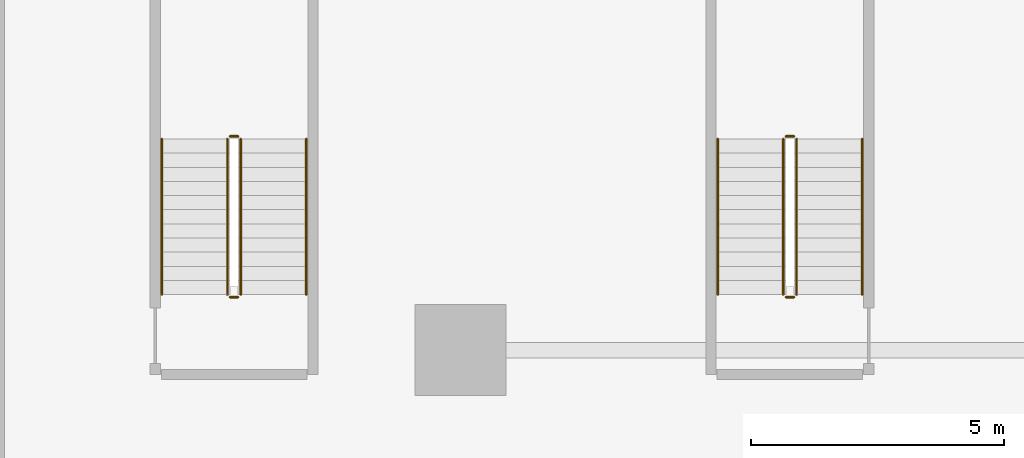
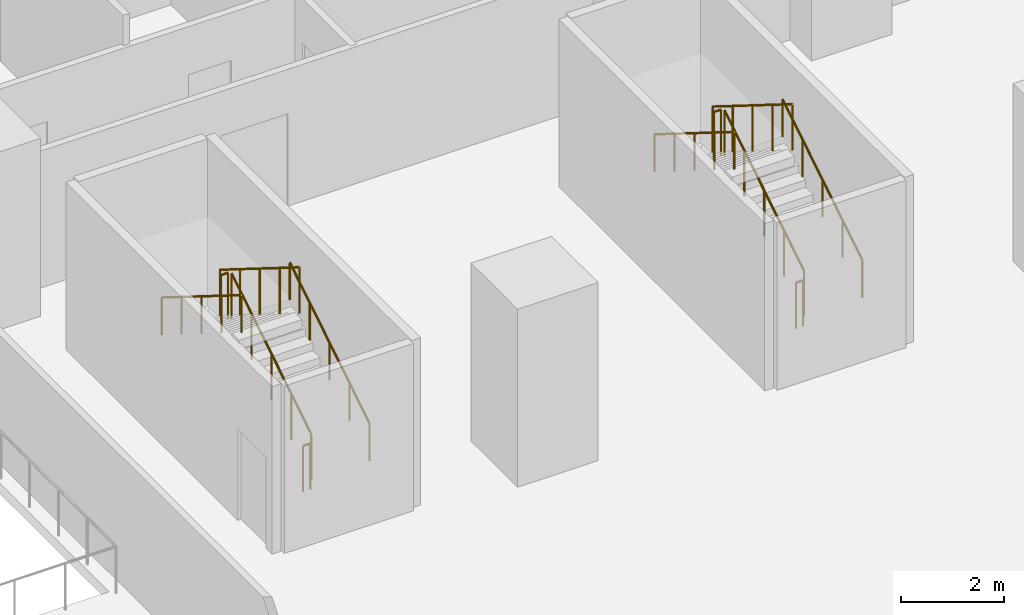
# One storey, part 11 of 13: 12 railings.
"""IFC4 building model written with IfcOpenShell, lengths in metres."""

from ifc_helpers import new_model, si_unit, direction, frame, origin, origin_2d, place, context, subcontext, project, spatial, circle, extrude, material, layer, layer_set, type_object, element, save


model = new_model("IFC4")

# Units and contexts
model_context = context("Model", 3, precision=1e-05, world=origin(), true_north=direction((0.0, 1.0)))
body_context = subcontext(model_context, "Body", "Model", "MODEL_VIEW")
ifc_project = project(units=[si_unit("LENGTHUNIT", "METRE"), si_unit("AREAUNIT", "SQUARE_METRE"), si_unit("VOLUMEUNIT", "CUBIC_METRE"), si_unit("PLANEANGLEUNIT", "RADIAN"), si_unit("MASSUNIT", "GRAM", prefix="KILO")], contexts=[model_context])

# Site, building, storey
site_placement = place(None, origin())
site = spatial("IfcSite", under=ifc_project, at=site_placement, CompositionType="ELEMENT")
building_placement = place(site_placement, origin())
building = spatial("IfcBuilding", under=site, at=building_placement, Name="Kuzgunbayir Cultural Tower", CompositionType="ELEMENT")
storey_placement = place(building_placement, frame((0.0, 0.0, 4.60009765625)))
storey = spatial("IfcBuildingStorey", under=building, at=storey_placement, Name="L01", CompositionType="ELEMENT", Elevation=4.60009765625)

# Railings
ifc_material_1 = material(Name="Brushed Stainless Steel", Category="steel")
ifc_layer_1 = layer(ifc_material_1, 0.050048828125)
ifc_layer_set_1 = layer_set([ifc_layer_1], Name="Brushed Stainless Steel")
railing_type_1 = type_object("IfcRailingType", Name="RLG-STAIR-HANDRAIL", PredefinedType="HANDRAIL", material=ifc_layer_set_1)
railing_1_placement = place(storey_placement, frame((30.449951171875, 19.10009765625, 0.1748046875)))
element("IfcRailing", 1, at=railing_1_placement, inside=storey, type_object=railing_type_1, Name="L01 ST-5 stair handrail 1", PredefinedType="HANDRAIL", context=body_context, shape_type="SweptSolid", body=[
    extrude(circle(Radius=0.02392578125, at=origin_2d()), frame((0.0, 0.0, 0.8759765625), z_axis=(0.0, 0.847979421464, 0.530029150871), x_axis=(-1.0, 0.0, 0.0)), (0.0, 0.0, 1.0), 3.632080078125),
    extrude(circle(Radius=0.02099609375, at=origin_2d()), origin(), (0.0, 0.0, 1.0), 0.851806640625),
    extrude(circle(Radius=0.02099609375, at=origin_2d()), frame((0.0, 0.77001953125, 0.481201171875)), (0.0, 0.0, 1.0), 0.851806640625),
    extrude(circle(Radius=0.02099609375, at=origin_2d()), frame((0.0, 1.5400390625, 0.96240234375)), (0.0, 0.0, 1.0), 0.851806640625),
    extrude(circle(Radius=0.02099609375, at=origin_2d()), frame((0.0, 2.309814453125, 1.44384765625)), (0.0, 0.0, 1.0), 0.851806640625),
    extrude(circle(Radius=0.02099609375, at=origin_2d()), frame((0.0, 3.079833984375, 1.925048828125)), (0.0, 0.0, 1.0), 0.851806640625),
])
railing_2_placement = place(storey_placement, frame((27.590087890625, 22.179931640625, 2.27490234375)))
element("IfcRailing", 2, at=railing_2_placement, inside=storey, type_object=railing_type_1, Name="L01 ST-5 stair handrail 2", PredefinedType="HANDRAIL", context=body_context, shape_type="SweptSolid", body=[
    extrude(circle(Radius=0.02392578125, at=origin_2d()), frame((0.0, 0.0, 0.8759765625), z_axis=(0.0, -0.847979421464, 0.530029150871), x_axis=(1.0, 0.0, 0.0)), (0.0, 0.0, 1.0), 3.632080078125),
    extrude(circle(Radius=0.02099609375, at=origin_2d()), origin(), (0.0, 0.0, 1.0), 0.851806640625),
    extrude(circle(Radius=0.02099609375, at=origin_2d()), frame((0.0, -0.77001953125, 0.481201171875)), (0.0, 0.0, 1.0), 0.851806640625),
    extrude(circle(Radius=0.02099609375, at=origin_2d()), frame((0.0, -1.5400390625, 0.96240234375)), (0.0, 0.0, 1.0), 0.851806640625),
    extrude(circle(Radius=0.02099609375, at=origin_2d()), frame((0.0, -2.309814453125, 1.44384765625)), (0.0, 0.0, 1.0), 0.851806640625),
    extrude(circle(Radius=0.02099609375, at=origin_2d()), frame((0.0, -3.079833984375, 1.925048828125)), (0.0, 0.0, 1.0), 0.851806640625),
])
railing_3_placement = place(storey_placement, frame((41.449951171875, 19.10009765625, 0.1748046875)))
element("IfcRailing", 3, at=railing_3_placement, inside=storey, type_object=railing_type_1, Name="L01 ST-6 stair handrail 1", PredefinedType="HANDRAIL", context=body_context, shape_type="SweptSolid", body=[
    extrude(circle(Radius=0.02392578125, at=origin_2d()), frame((0.0, 0.0, 0.8759765625), z_axis=(0.0, 0.847979421464, 0.530029150871), x_axis=(-1.0, 0.0, 0.0)), (0.0, 0.0, 1.0), 3.632080078125),
    extrude(circle(Radius=0.02099609375, at=origin_2d()), origin(), (0.0, 0.0, 1.0), 0.851806640625),
    extrude(circle(Radius=0.02099609375, at=origin_2d()), frame((0.0, 0.77001953125, 0.481201171875)), (0.0, 0.0, 1.0), 0.851806640625),
    extrude(circle(Radius=0.02099609375, at=origin_2d()), frame((0.0, 1.5400390625, 0.96240234375)), (0.0, 0.0, 1.0), 0.851806640625),
    extrude(circle(Radius=0.02099609375, at=origin_2d()), frame((0.0, 2.309814453125, 1.44384765625)), (0.0, 0.0, 1.0), 0.851806640625),
    extrude(circle(Radius=0.02099609375, at=origin_2d()), frame((0.0, 3.079833984375, 1.925048828125)), (0.0, 0.0, 1.0), 0.851806640625),
])
railing_4_placement = place(storey_placement, frame((38.590087890625, 22.179931640625, 2.27490234375)))
element("IfcRailing", 4, at=railing_4_placement, inside=storey, type_object=railing_type_1, Name="L01 ST-6 stair handrail 2", PredefinedType="HANDRAIL", context=body_context, shape_type="SweptSolid", body=[
    extrude(circle(Radius=0.02392578125, at=origin_2d()), frame((0.0, 0.0, 0.8759765625), z_axis=(0.0, -0.847979421464, 0.530029150871), x_axis=(1.0, 0.0, 0.0)), (0.0, 0.0, 1.0), 3.632080078125),
    extrude(circle(Radius=0.02099609375, at=origin_2d()), origin(), (0.0, 0.0, 1.0), 0.851806640625),
    extrude(circle(Radius=0.02099609375, at=origin_2d()), frame((0.0, -0.77001953125, 0.481201171875)), (0.0, 0.0, 1.0), 0.851806640625),
    extrude(circle(Radius=0.02099609375, at=origin_2d()), frame((0.0, -1.5400390625, 0.96240234375)), (0.0, 0.0, 1.0), 0.851806640625),
    extrude(circle(Radius=0.02099609375, at=origin_2d()), frame((0.0, -2.309814453125, 1.44384765625)), (0.0, 0.0, 1.0), 0.851806640625),
    extrude(circle(Radius=0.02099609375, at=origin_2d()), frame((0.0, -3.079833984375, 1.925048828125)), (0.0, 0.0, 1.0), 0.851806640625),
])
ifc_material_2 = material(Name="Painted Steel Balustrade", Category="steel")
ifc_layer_2 = layer(ifc_material_2, 0.06005859375)
ifc_layer_set_2 = layer_set([ifc_layer_2], Name="Painted Steel Balustrade")
railing_type_2 = type_object("IfcRailingType", Name="RLG-WELL-GUARD", PredefinedType="GUARDRAIL", material=ifc_layer_set_2)
railing_5_placement = place(storey_placement, frame((29.14990234375, 19.10009765625, 0.1748046875)))
element("IfcRailing", 5, at=railing_5_placement, inside=storey, type_object=railing_type_2, Name="L01 ST-5 stair guard 1", PredefinedType="GUARDRAIL", context=body_context, shape_type="SweptSolid", body=[
    extrude(circle(Radius=0.02392578125, at=origin_2d()), frame((0.0, 0.0, 1.076171875), z_axis=(0.0, 0.847979421464, 0.530029150871), x_axis=(-1.0, 0.0, 0.0)), (0.0, 0.0, 1.0), 3.632080078125),
    extrude(circle(Radius=0.02099609375, at=origin_2d()), origin(), (0.0, 0.0, 1.0), 1.052001953125),
    extrude(circle(Radius=0.02099609375, at=origin_2d()), frame((0.0, 0.77001953125, 0.481201171875)), (0.0, 0.0, 1.0), 1.052001953125),
    extrude(circle(Radius=0.02099609375, at=origin_2d()), frame((0.0, 1.5400390625, 0.96240234375)), (0.0, 0.0, 1.0), 1.052001953125),
    extrude(circle(Radius=0.02099609375, at=origin_2d()), frame((0.0, 2.309814453125, 1.44384765625)), (0.0, 0.0, 1.0), 1.052001953125),
    extrude(circle(Radius=0.02099609375, at=origin_2d()), frame((0.0, 3.079833984375, 1.925048828125)), (0.0, 0.0, 1.0), 1.052001953125),
])
railing_6_placement = place(storey_placement, frame((29.10009765625, 22.22998046875, 2.099853515625)))
element("IfcRailing", 6, at=railing_6_placement, inside=storey, type_object=railing_type_2, Name="L01 ST-5 stair guard 2", PredefinedType="GUARDRAIL", context=body_context, shape_type="SweptSolid", body=[
    extrude(circle(Radius=0.02392578125, at=origin_2d()), frame((0.0, 0.0, 1.076171875), z_axis=(-1.0, 0.0, 0.0), x_axis=(0.0, -1.0, 0.0)), (0.0, 0.0, 1.0), 0.16015625),
    extrude(circle(Radius=0.02099609375, at=origin_2d()), origin(), (0.0, 0.0, 1.0), 1.052001953125),
    extrude(circle(Radius=0.02099609375, at=origin_2d()), frame((-0.16015625, 0.0, 0.0)), (0.0, 0.0, 1.0), 1.052001953125),
])
railing_7_placement = place(storey_placement, frame((28.889892578125, 22.179931640625, 2.27490234375)))
element("IfcRailing", 7, at=railing_7_placement, inside=storey, type_object=railing_type_2, Name="L01 ST-5 stair guard 3", PredefinedType="GUARDRAIL", context=body_context, shape_type="SweptSolid", body=[
    extrude(circle(Radius=0.02392578125, at=origin_2d()), frame((0.0, 0.0, 1.076171875), z_axis=(0.0, -0.847979421464, 0.530029150871), x_axis=(1.0, 0.0, 0.0)), (0.0, 0.0, 1.0), 3.632080078125),
    extrude(circle(Radius=0.02099609375, at=origin_2d()), origin(), (0.0, 0.0, 1.0), 1.052001953125),
    extrude(circle(Radius=0.02099609375, at=origin_2d()), frame((0.0, -0.77001953125, 0.481201171875)), (0.0, 0.0, 1.0), 1.052001953125),
    extrude(circle(Radius=0.02099609375, at=origin_2d()), frame((0.0, -1.5400390625, 0.96240234375)), (0.0, 0.0, 1.0), 1.052001953125),
    extrude(circle(Radius=0.02099609375, at=origin_2d()), frame((0.0, -2.309814453125, 1.44384765625)), (0.0, 0.0, 1.0), 1.052001953125),
    extrude(circle(Radius=0.02099609375, at=origin_2d()), frame((0.0, -3.079833984375, 1.925048828125)), (0.0, 0.0, 1.0), 1.052001953125),
])
railing_8_placement = place(storey_placement, frame((29.10009765625, 19.050048828125, 0.0)))
element("IfcRailing", 8, at=railing_8_placement, inside=storey, type_object=railing_type_2, Name="L01 ST-5 stair guard 4", PredefinedType="GUARDRAIL", context=body_context, shape_type="SweptSolid", body=[
    extrude(circle(Radius=0.02392578125, at=origin_2d()), frame((0.0, 0.0, 1.076171875), z_axis=(-1.0, 0.0, 0.0), x_axis=(0.0, -1.0, 0.0)), (0.0, 0.0, 1.0), 0.16015625),
    extrude(circle(Radius=0.02099609375, at=origin_2d()), origin(), (0.0, 0.0, 1.0), 1.052001953125),
    extrude(circle(Radius=0.02099609375, at=origin_2d()), frame((-0.16015625, 0.0, 0.0)), (0.0, 0.0, 1.0), 1.052001953125),
])
railing_9_placement = place(storey_placement, frame((40.14990234375, 19.10009765625, 0.1748046875)))
element("IfcRailing", 9, at=railing_9_placement, inside=storey, type_object=railing_type_2, Name="L01 ST-6 stair guard 1", PredefinedType="GUARDRAIL", context=body_context, shape_type="SweptSolid", body=[
    extrude(circle(Radius=0.02392578125, at=origin_2d()), frame((0.0, 0.0, 1.076171875), z_axis=(0.0, 0.847979421464, 0.530029150871), x_axis=(-1.0, 0.0, 0.0)), (0.0, 0.0, 1.0), 3.632080078125),
    extrude(circle(Radius=0.02099609375, at=origin_2d()), origin(), (0.0, 0.0, 1.0), 1.052001953125),
    extrude(circle(Radius=0.02099609375, at=origin_2d()), frame((0.0, 0.77001953125, 0.481201171875)), (0.0, 0.0, 1.0), 1.052001953125),
    extrude(circle(Radius=0.02099609375, at=origin_2d()), frame((0.0, 1.5400390625, 0.96240234375)), (0.0, 0.0, 1.0), 1.052001953125),
    extrude(circle(Radius=0.02099609375, at=origin_2d()), frame((0.0, 2.309814453125, 1.44384765625)), (0.0, 0.0, 1.0), 1.052001953125),
    extrude(circle(Radius=0.02099609375, at=origin_2d()), frame((0.0, 3.079833984375, 1.925048828125)), (0.0, 0.0, 1.0), 1.052001953125),
])
railing_10_placement = place(storey_placement, frame((40.10009765625, 22.22998046875, 2.099853515625)))
element("IfcRailing", 10, at=railing_10_placement, inside=storey, type_object=railing_type_2, Name="L01 ST-6 stair guard 2", PredefinedType="GUARDRAIL", context=body_context, shape_type="SweptSolid", body=[
    extrude(circle(Radius=0.02392578125, at=origin_2d()), frame((0.0, 0.0, 1.076171875), z_axis=(-1.0, 0.0, 0.0), x_axis=(0.0, -1.0, 0.0)), (0.0, 0.0, 1.0), 0.16015625),
    extrude(circle(Radius=0.02099609375, at=origin_2d()), origin(), (0.0, 0.0, 1.0), 1.052001953125),
    extrude(circle(Radius=0.02099609375, at=origin_2d()), frame((-0.16015625, 0.0, 0.0)), (0.0, 0.0, 1.0), 1.052001953125),
])
railing_11_placement = place(storey_placement, frame((39.889892578125, 22.179931640625, 2.27490234375)))
element("IfcRailing", 11, at=railing_11_placement, inside=storey, type_object=railing_type_2, Name="L01 ST-6 stair guard 3", PredefinedType="GUARDRAIL", context=body_context, shape_type="SweptSolid", body=[
    extrude(circle(Radius=0.02392578125, at=origin_2d()), frame((0.0, 0.0, 1.076171875), z_axis=(0.0, -0.847979421464, 0.530029150871), x_axis=(1.0, 0.0, 0.0)), (0.0, 0.0, 1.0), 3.632080078125),
    extrude(circle(Radius=0.02099609375, at=origin_2d()), origin(), (0.0, 0.0, 1.0), 1.052001953125),
    extrude(circle(Radius=0.02099609375, at=origin_2d()), frame((0.0, -0.77001953125, 0.481201171875)), (0.0, 0.0, 1.0), 1.052001953125),
    extrude(circle(Radius=0.02099609375, at=origin_2d()), frame((0.0, -1.5400390625, 0.96240234375)), (0.0, 0.0, 1.0), 1.052001953125),
    extrude(circle(Radius=0.02099609375, at=origin_2d()), frame((0.0, -2.309814453125, 1.44384765625)), (0.0, 0.0, 1.0), 1.052001953125),
    extrude(circle(Radius=0.02099609375, at=origin_2d()), frame((0.0, -3.079833984375, 1.925048828125)), (0.0, 0.0, 1.0), 1.052001953125),
])
railing_12_placement = place(storey_placement, frame((40.10009765625, 19.050048828125, 0.0)))
element("IfcRailing", 12, at=railing_12_placement, inside=storey, type_object=railing_type_2, Name="L01 ST-6 stair guard 4", PredefinedType="GUARDRAIL", context=body_context, shape_type="SweptSolid", body=[
    extrude(circle(Radius=0.02392578125, at=origin_2d()), frame((0.0, 0.0, 1.076171875), z_axis=(-1.0, 0.0, 0.0), x_axis=(0.0, -1.0, 0.0)), (0.0, 0.0, 1.0), 0.16015625),
    extrude(circle(Radius=0.02099609375, at=origin_2d()), origin(), (0.0, 0.0, 1.0), 1.052001953125),
    extrude(circle(Radius=0.02099609375, at=origin_2d()), frame((-0.16015625, 0.0, 0.0)), (0.0, 0.0, 1.0), 1.052001953125),
])

save(model, "model.ifc")
